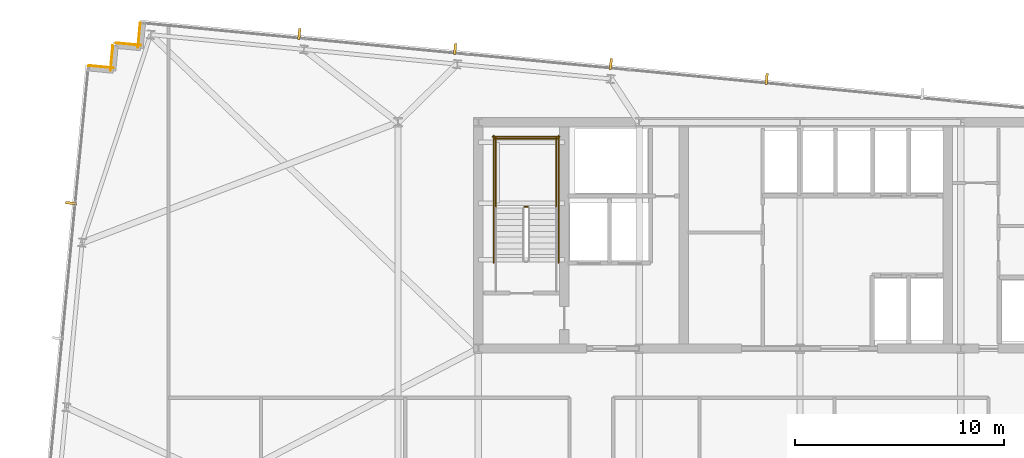
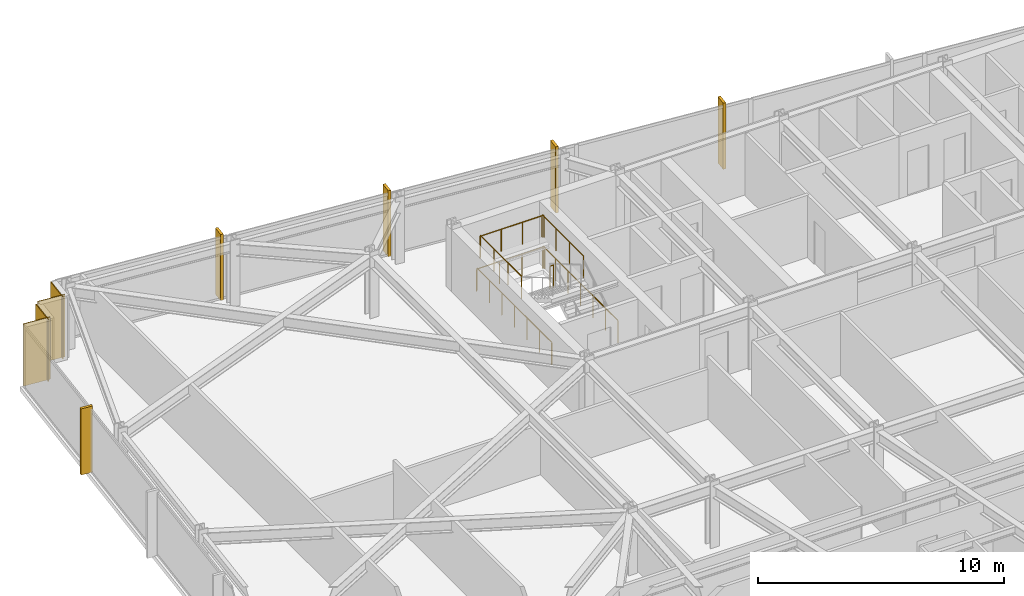
# One storey, part 35 of 36: 7 railings, 5 shading devices, 4 coverings.
"""IFC4 building model written with IfcOpenShell, lengths in metres."""

from ifc_helpers import new_model, si_unit, direction, frame, frame_2d, origin, origin_2d, place, context, subcontext, project, spatial, rectangle, circle, extrude, material, layer, layer_set, type_object, element, save


model = new_model("IFC4")

# Units and contexts
model_context = context("Model", 3, precision=1e-05, world=origin(), true_north=direction((0.0, 1.0)))
body_context = subcontext(model_context, "Body", "Model", "MODEL_VIEW")
ifc_project = project(units=[si_unit("LENGTHUNIT", "METRE"), si_unit("AREAUNIT", "SQUARE_METRE"), si_unit("VOLUMEUNIT", "CUBIC_METRE"), si_unit("PLANEANGLEUNIT", "RADIAN"), si_unit("MASSUNIT", "GRAM", prefix="KILO")], contexts=[model_context])

# Site, building, storey
site_placement = place(None, origin())
site = spatial("IfcSite", under=ifc_project, at=site_placement, CompositionType="ELEMENT")
building_placement = place(site_placement, origin())
building = spatial("IfcBuilding", under=site, at=building_placement, Name="Yelkora Congress Tower", CompositionType="ELEMENT")
storey_placement = place(building_placement, frame((0.0, 0.0, 152.300048828125)))
storey = spatial("IfcBuildingStorey", under=building, at=storey_placement, Name="L41", CompositionType="ELEMENT", Elevation=152.300048828125)

# Coverings
ifc_material_1 = material(Name="Anatolian bush-hammered limestone", Category="masonry")
ifc_layer_1 = layer(ifc_material_1, 0.0400390625)
ifc_layer_set_1 = layer_set([ifc_layer_1], Name="Anatolian bush-hammered limestone")
covering_type = type_object("IfcCoveringType", Name="COV-CLAD-SPANDREL-40", PredefinedType="CLADDING", material=ifc_layer_set_1)
for number, where, z_axis, x_axis, name in (
    (1, (4.423583984375, 48.9130859375, 0.0), (0.0, 0.0, 1.0), (0.995398960025, -0.095817067274, 0.0), "L41 Anatolian Limestone Cladding EW-L41-SR06"),
    (2, (5.470703125, 48.676513671875, 0.0), (0.0, 0.0, 1.0), (0.095817067274, 0.995398960025, 0.0), "L41 Anatolian Limestone Cladding EW-L41-SR07"),
):
    element("IfcCovering", number, at=place(storey_placement, frame(where, z_axis=z_axis, x_axis=x_axis)), inside=storey, type_object=covering_type, Name=name, PredefinedType="CLADDING", context=body_context, shape_type="SweptSolid", body=[
        extrude(rectangle(XDim=1.2001953125, YDim=0.0400390625, at=frame_2d((0.60009765625, 0.0))), origin(), (0.0, 0.0, 1.0), 3.079833984375),
    ])
covering_1_placement = place(storey_placement, frame((5.733154296875, 49.992431640625, 0.0), z_axis=(0.0, 0.0, 1.0), x_axis=(0.995397091755, -0.095836473879, 0.0)))
element("IfcCovering", 3, at=covering_1_placement, inside=storey, type_object=covering_type, Name="L41 Anatolian Limestone Cladding EW-L41-SR08", PredefinedType="CLADDING", context=body_context, shape_type="SweptSolid", body=[
    extrude(rectangle(XDim=1.199951171875, YDim=0.0400390625, at=frame_2d((0.60009765625, 0.0))), origin(), (0.0, 0.0, 1.0), 3.079833984375),
])
covering_2_placement = place(storey_placement, frame((6.780029296875, 49.756103515625, 0.0), z_axis=(0.0, 0.0, 1.0), x_axis=(0.096018626938, 0.995379537303, 0.0)))
element("IfcCovering", 4, at=covering_2_placement, inside=storey, type_object=covering_type, Name="L41 Anatolian Limestone Cladding EW-L41-SR09", PredefinedType="CLADDING", context=body_context, shape_type="SweptSolid", body=[
    extrude(rectangle(XDim=1.2001953125, YDim=0.0400390625, at=frame_2d((0.60009765625, 0.0))), origin(), (0.0, 0.0, 1.0), 3.079833984375),
])

# Railings
ifc_material_2 = material(Name="Painted galvanised steel stair well guard with vertical infill", Category="steel")
ifc_layer_2 = layer(ifc_material_2, 0.06005859375)
ifc_layer_set_2 = layer_set([ifc_layer_2], Name="Painted galvanised steel stair well guard with vertical infill")
railing_type = type_object("IfcRailingType", Name="RAIL-STAIR-GUARD-1120", PredefinedType="GUARDRAIL", material=ifc_layer_set_2)
railing_1_placement = place(storey_placement, frame((25.39990234375, 42.169921875, 1.64990234375)))
element("IfcRailing", 5, at=railing_1_placement, inside=storey, type_object=railing_type, Name="ST-01 L41 Stair Well Guardrail 2", PredefinedType="GUARDRAIL", context=body_context, shape_type="SweptSolid", body=[
    extrude(circle(Radius=0.02392578125, at=origin_2d()), frame((0.0, 0.0, 1.09619140625), z_axis=(-1.0, 0.0, 0.0), x_axis=(0.0, -1.0, 0.0)), (0.0, 0.0, 1.0), 0.159912109375),
    extrude(circle(Radius=0.02099609375, at=origin_2d()), origin(), (0.0, 0.0, 1.0), 1.072021484375),
    extrude(circle(Radius=0.02099609375, at=origin_2d()), frame((-0.159912109375, 0.0, 0.0)), (0.0, 0.0, 1.0), 1.072021484375),
])
for number, where, name in (
    (6, (26.77001953125, 42.1201171875, 1.64990234375), "ST-01 L41 Stair Well Guardrail 3"),
    (7, (23.8701171875, 42.1201171875, 1.64990234375), "ST-01 L41 Stair Well Guardrail 4"),
):
    element("IfcRailing", number, at=place(storey_placement, frame(where)), inside=storey, type_object=railing_type, Name=name, PredefinedType="GUARDRAIL", context=body_context, shape_type="SweptSolid", body=[
        extrude(circle(Radius=0.02392578125, at=origin_2d()), frame((0.0, 0.0, 1.09619140625), z_axis=(0.0, 1.0, 0.0), x_axis=(-1.0, 0.0, 0.0)), (0.0, 0.0, 1.0), 3.349853515625),
        extrude(circle(Radius=0.02099609375, at=origin_2d()), origin(), (0.0, 0.0, 1.0), 1.072021484375),
        extrude(circle(Radius=0.02099609375, at=origin_2d()), frame((0.0, 1.11669921875, 0.0)), (0.0, 0.0, 1.0), 1.072021484375),
        extrude(circle(Radius=0.02099609375, at=origin_2d()), frame((0.0, 2.233154296875, 0.0)), (0.0, 0.0, 1.0), 1.072021484375),
        extrude(circle(Radius=0.02099609375, at=origin_2d()), frame((0.0, 3.349853515625, 0.0)), (0.0, 0.0, 1.0), 1.072021484375),
    ])
railing_2_placement = place(storey_placement, frame((26.820068359375, 45.419921875, 1.64990234375)))
element("IfcRailing", 8, at=railing_2_placement, inside=storey, type_object=railing_type, Name="ST-01 L41 Stair Well Guardrail 5", PredefinedType="GUARDRAIL", context=body_context, shape_type="SweptSolid", body=[
    extrude(circle(Radius=0.02392578125, at=origin_2d()), frame((0.0, 0.0, 1.09619140625), z_axis=(-1.0, 0.0, 0.0), x_axis=(0.0, -1.0, 0.0)), (0.0, 0.0, 1.0), 3.0),
    extrude(circle(Radius=0.02099609375, at=origin_2d()), origin(), (0.0, 0.0, 1.0), 1.072021484375),
    extrude(circle(Radius=0.02099609375, at=origin_2d()), frame((-1.0, 0.0, 0.0)), (0.0, 0.0, 1.0), 1.072021484375),
    extrude(circle(Radius=0.02099609375, at=origin_2d()), frame((-2.0, 0.0, 0.0)), (0.0, 0.0, 1.0), 1.072021484375),
    extrude(circle(Radius=0.02099609375, at=origin_2d()), frame((-3.0, 0.0, 0.0)), (0.0, 0.0, 1.0), 1.072021484375),
])
for number, where, name in (
    (9, (26.8701171875, 39.5, 0.0), "ST-01 L41 Stair Well Guardrail 10"),
    (10, (23.77001953125, 39.5, 0.0), "ST-01 L41 Stair Well Guardrail 11"),
):
    element("IfcRailing", number, at=place(storey_placement, frame(where)), inside=storey, type_object=railing_type, Name=name, PredefinedType="GUARDRAIL", context=body_context, shape_type="SweptSolid", body=[
        extrude(circle(Radius=0.02392578125, at=origin_2d()), frame((0.0, 0.0, 1.09619140625), z_axis=(0.0, 1.0, 0.0), x_axis=(-1.0, 0.0, 0.0)), (0.0, 0.0, 1.0), 6.070068359375),
        extrude(circle(Radius=0.02099609375, at=origin_2d()), origin(), (0.0, 0.0, 1.0), 1.072021484375),
        extrude(circle(Radius=0.02099609375, at=origin_2d()), frame((0.0, 1.01171875, 0.0)), (0.0, 0.0, 1.0), 1.072021484375),
        extrude(circle(Radius=0.02099609375, at=origin_2d()), frame((0.0, 2.0234375, 0.0)), (0.0, 0.0, 1.0), 1.072021484375),
        extrude(circle(Radius=0.02099609375, at=origin_2d()), frame((0.0, 3.03515625, 0.0)), (0.0, 0.0, 1.0), 1.072021484375),
        extrude(circle(Radius=0.02099609375, at=origin_2d()), frame((0.0, 4.046630859375, 0.0)), (0.0, 0.0, 1.0), 1.072021484375),
        extrude(circle(Radius=0.02099609375, at=origin_2d()), frame((0.0, 5.058349609375, 0.0)), (0.0, 0.0, 1.0), 1.072021484375),
        extrude(circle(Radius=0.02099609375, at=origin_2d()), frame((0.0, 6.070068359375, 0.0)), (0.0, 0.0, 1.0), 1.072021484375),
    ])
railing_3_placement = place(storey_placement, frame((26.919921875, 45.52001953125, 0.0)))
element("IfcRailing", 11, at=railing_3_placement, inside=storey, type_object=railing_type, Name="ST-01 L41 Stair Well Guardrail 12", PredefinedType="GUARDRAIL", context=body_context, shape_type="SweptSolid", body=[
    extrude(circle(Radius=0.02392578125, at=origin_2d()), frame((0.0, 0.0, 1.09619140625), z_axis=(-1.0, 0.0, 0.0), x_axis=(0.0, -1.0, 0.0)), (0.0, 0.0, 1.0), 3.199951171875),
    extrude(circle(Radius=0.02099609375, at=origin_2d()), origin(), (0.0, 0.0, 1.0), 1.072021484375),
    extrude(circle(Radius=0.02099609375, at=origin_2d()), frame((-1.066650390625, 0.0, 0.0)), (0.0, 0.0, 1.0), 1.072021484375),
    extrude(circle(Radius=0.02099609375, at=origin_2d()), frame((-2.13330078125, 0.0, 0.0)), (0.0, 0.0, 1.0), 1.072021484375),
    extrude(circle(Radius=0.02099609375, at=origin_2d()), frame((-3.199951171875, 0.0, 0.0)), (0.0, 0.0, 1.0), 1.072021484375),
])

# Shading devices
ifc_material_3 = material(Name="Champagne anodised aluminium", Category="aluminium")
ifc_layer_3 = layer(ifc_material_3, 3.300048828125)
ifc_layer_set_3 = layer_set([ifc_layer_3], Name="Champagne anodised aluminium")
shading_device_type = type_object("IfcShadingDeviceType", Name="SHD-FIN-ALU-520", PredefinedType="USERDEFINED", material=ifc_layer_set_3)
for number, where, z_axis, x_axis, name in (
    (12, (3.590087890625, 42.34375, -0.0302734375), (0.0, 0.0, 1.0), (0.09584575252, 0.995396198367, 0.0), "L41 Vertical Anodised Solar Fin 5-4"),
    (13, (14.48876953125, 50.42041015625, -0.0302734375), (0.0, 0.0, 1.0), (0.995396198367, -0.09584575252, 0.0), "L41 Vertical Anodised Solar Fin 10-1"),
    (14, (21.928466796875, 49.703857421875, -0.0302734375), (0.0, 0.0, 1.0), (0.995396198367, -0.09584575252, 0.0), "L41 Vertical Anodised Solar Fin 10-2"),
    (15, (29.368408203125, 48.987548828125, -0.0302734375), (0.0, 0.0, 1.0), (0.995396198367, -0.09584575252, 0.0), "L41 Vertical Anodised Solar Fin 10-3"),
    (16, (36.808349609375, 48.271240234375, -0.0302734375), (0.0, 0.0, 1.0), (0.995396198367, -0.09584575252, 0.0), "L41 Vertical Anodised Solar Fin 10-4"),
):
    element("IfcShadingDevice", number, at=place(storey_placement, frame(where, z_axis=z_axis, x_axis=x_axis)), inside=storey, type_object=shading_device_type, Name=name, ObjectType="FIN", PredefinedType="USERDEFINED", context=body_context, shape_type="SweptSolid", body=[
        extrude(rectangle(XDim=0.1201171875, YDim=0.52001953125, at=origin_2d()), origin(), (0.0, 0.0, 1.0), 3.280029296875),
    ])

save(model, "model.ifc")
